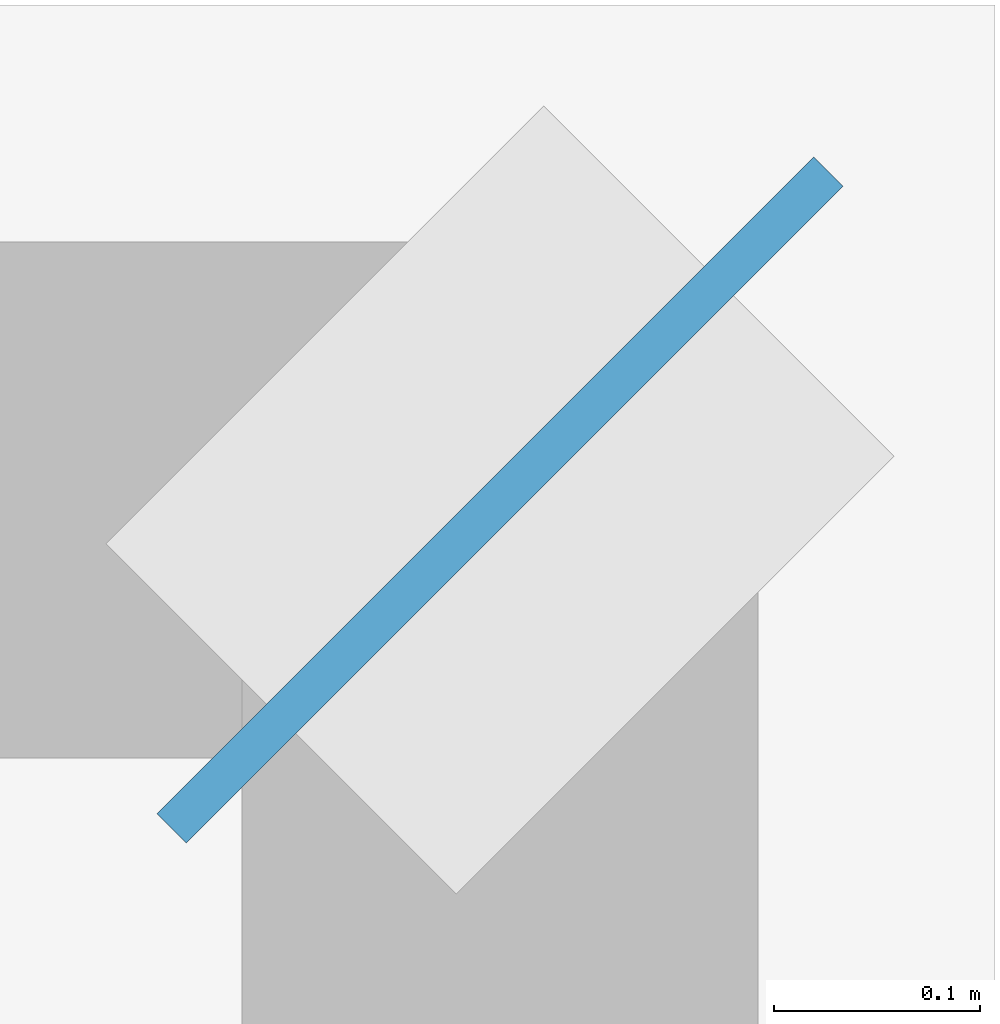
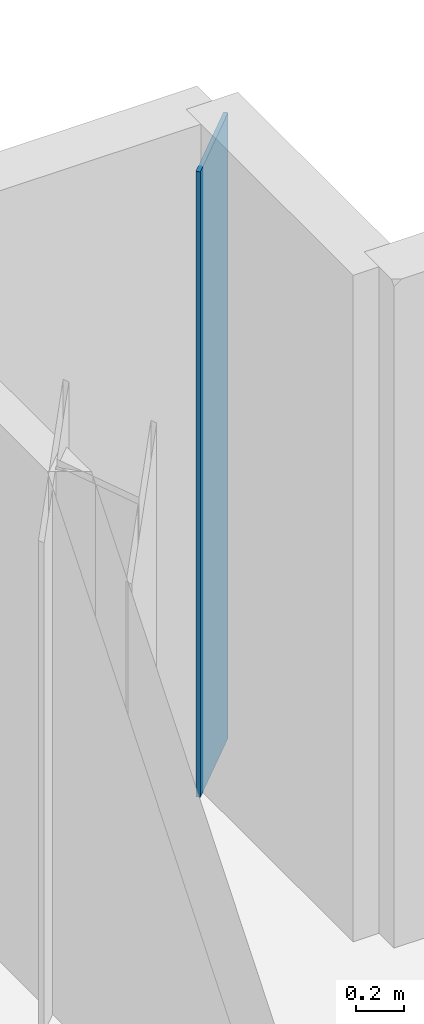
# One storey, part 35 of 42: 1 plate.
"""IFC4 building model written with IfcOpenShell, lengths in metres."""

from ifc_helpers import new_model, si_unit, direction, frame, origin, origin_2d, place, context, subcontext, project, spatial, rectangle, extrude, source, transform, mapped, material, layer, layer_set, type_object, element, save


model = new_model("IFC4")

# Units and contexts
model_context = context("Model", 3, precision=1e-05, world=origin(), true_north=direction((0.0, 1.0)))
body_context = subcontext(model_context, "Body", "Model", "MODEL_VIEW")
ifc_project = project(units=[si_unit("LENGTHUNIT", "METRE"), si_unit("AREAUNIT", "SQUARE_METRE"), si_unit("VOLUMEUNIT", "CUBIC_METRE"), si_unit("PLANEANGLEUNIT", "RADIAN"), si_unit("MASSUNIT", "GRAM", prefix="KILO")], contexts=[model_context])

# Site, building, storey
site_placement = place(None, origin())
site = spatial("IfcSite", under=ifc_project, at=site_placement, CompositionType="ELEMENT")
building_placement = place(site_placement, origin())
building = spatial("IfcBuilding", under=site, at=building_placement, Name="Nahalor Promenade Grand Hotel", CompositionType="ELEMENT")
storey_placement = place(building_placement, frame((0.0, 0.0, 249.300048828125)))
storey = spatial("IfcBuildingStorey", under=building, at=storey_placement, Name="L64", CompositionType="ELEMENT", Elevation=249.300048828125)

# Plate
ifc_material = material(Name="Anodised Bronze Aluminium EN AW-6063 T6", Category="aluminium")
ifc_layer = layer(ifc_material, 0.02001953125)
ifc_layer_set = layer_set([ifc_layer], Name="Anodised Bronze Aluminium EN AW-6063 T6")
plate_type = type_object("IfcPlateType", Name="Plate-CornerFin-20", PredefinedType="SHEET", material=ifc_layer_set)
shared_shape = source(origin(), body_context, "Body", "SweptSolid", [
    extrude(rectangle(XDim=0.449951171875, YDim=0.02001953125, at=origin_2d()), origin(), (0.0, 0.0, 1.0), 3.199951171875),
])
plate_placement = place(storey_placement, frame((22.56005859375, 22.56005859375, 0.0), z_axis=(0.0, 0.0, 1.0), x_axis=(0.707106781187, 0.707106781187, 0.0)))
element("IfcPlate", 1, at=plate_placement, inside=storey, type_object=plate_type, Name="FIN-L64-NE", PredefinedType="SHEET", context=body_context, shape_type="MappedRepresentation", body=[
    mapped(shared_shape, transform((0.0, 0.0, 0.0), scale=1.0)),
])

save(model, "model.ifc")
